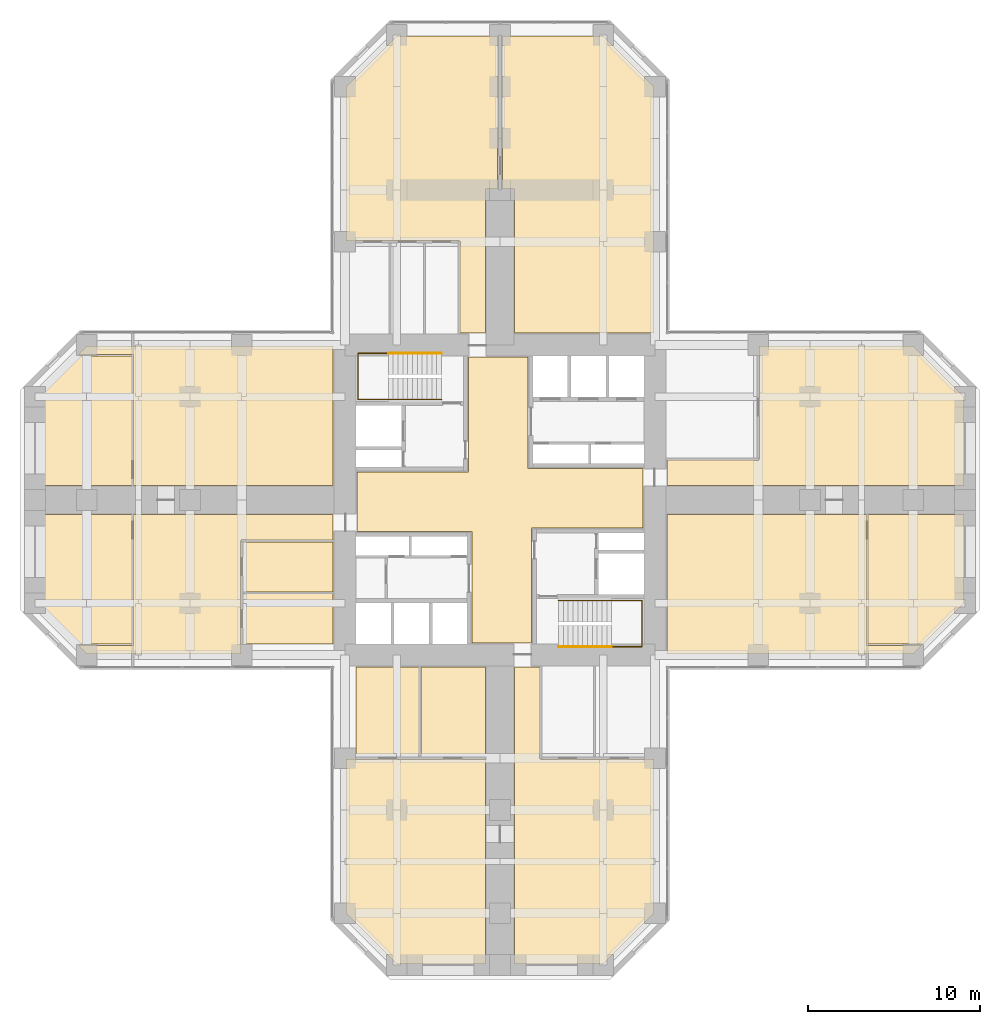
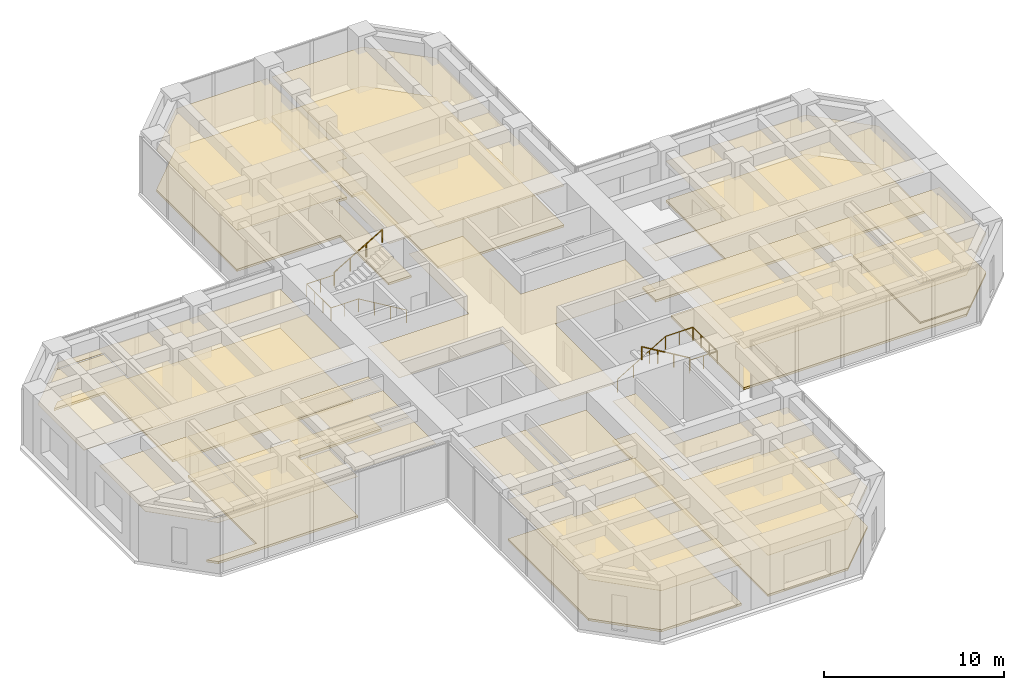
# One storey, part 12 of 12: 25 coverings, 4 railings.
"""IFC4 building model written with IfcOpenShell, lengths in metres."""

from ifc_helpers import new_model, si_unit, direction, frame, origin, origin_2d, place, context, subcontext, project, spatial, polyline, circle, outline, extrude, material, layer, layer_set, constituent, constituent_set, type_object, element, save


model = new_model("IFC4")

# Units and contexts
model_context = context("Model", 3, precision=1e-05, world=origin(), true_north=direction((0.0, 1.0)))
body_context = subcontext(model_context, "Body", "Model", "MODEL_VIEW")
ifc_project = project(units=[si_unit("LENGTHUNIT", "METRE"), si_unit("AREAUNIT", "SQUARE_METRE"), si_unit("VOLUMEUNIT", "CUBIC_METRE"), si_unit("PLANEANGLEUNIT", "RADIAN"), si_unit("MASSUNIT", "GRAM", prefix="KILO")], contexts=[model_context])

# Site, building, storey
site_placement = place(None, origin())
site = spatial("IfcSite", under=ifc_project, at=site_placement, CompositionType="ELEMENT")
building_placement = place(site_placement, origin())
building = spatial("IfcBuilding", under=site, at=building_placement, Name="Torre Cruceta", CompositionType="ELEMENT")
storey_placement = place(building_placement, frame((0.0, 0.0, 39.5)))
storey = spatial("IfcBuildingStorey", under=building, at=storey_placement, Name="L09", CompositionType="ELEMENT", Elevation=39.5)

# Railings
ifc_material_1 = material(Name="Stainless steel 1.4401", Category="steel")
railing_type = type_object("IfcRailingType", Name="HANDRAIL 900", PredefinedType="HANDRAIL", material=ifc_material_1)
railing_1_placement = place(storey_placement, frame((-3.39990234375, 5.8349609375, 0.166748046875)))
element("IfcRailing", 1, at=railing_1_placement, inside=storey, type_object=railing_type, Name="Handrail HR1 ST1 L09", PredefinedType="HANDRAIL", context=body_context, shape_type="SweptSolid", body=[
    extrude(circle(Radius=0.02392578125, at=origin_2d()), frame((0.0, 0.0, 0.8759765625), z_axis=(-0.859308565015, 0.0, 0.511457515432), x_axis=(0.0, -1.0, 0.0)), (0.0, 0.0, 1.0), 3.58447265625),
    extrude(circle(Radius=0.02392578125, at=origin_2d()), frame((-3.080078125, 0.0, 2.708984375), z_axis=(-1.0, 0.0, 0.0), x_axis=(0.0, -1.0, 0.0)), (0.0, 0.0, 1.0), 1.760009765625),
    extrude(circle(Radius=0.02392578125, at=origin_2d()), frame((-4.840087890625, 0.0, 2.708984375), z_axis=(0.0, 1.0, 0.0), x_axis=(-1.0, 0.0, 0.0)), (0.0, 0.0, 1.0), 2.679931640625),
    extrude(circle(Radius=0.02392578125, at=origin_2d()), frame((-4.840087890625, 2.679931640625, 2.708984375), z_axis=(1.0, 0.0, 0.0), x_axis=(0.0, 1.0, 0.0)), (0.0, 0.0, 1.0), 1.760009765625),
    extrude(circle(Radius=0.02099609375, at=origin_2d()), origin(), (0.0, 0.0, 1.0), 0.851806640625),
    extrude(circle(Radius=0.02099609375, at=origin_2d()), frame((-1.026611328125, 0.0, 0.611083984375)), (0.0, 0.0, 1.0), 0.851806640625),
    extrude(circle(Radius=0.02099609375, at=origin_2d()), frame((-2.053466796875, 0.0, 1.22216796875)), (0.0, 0.0, 1.0), 0.851806640625),
    extrude(circle(Radius=0.02099609375, at=origin_2d()), frame((-3.080078125, 0.0, 1.833251953125)), (0.0, 0.0, 1.0), 0.851806640625),
    extrude(circle(Radius=0.02099609375, at=origin_2d()), frame((-3.9599609375, 0.0, 1.833251953125)), (0.0, 0.0, 1.0), 0.851806640625),
    extrude(circle(Radius=0.02099609375, at=origin_2d()), frame((-4.840087890625, 0.0, 1.833251953125)), (0.0, 0.0, 1.0), 0.851806640625),
    extrude(circle(Radius=0.02099609375, at=origin_2d()), frame((-4.840087890625, 0.893310546875, 1.833251953125)), (0.0, 0.0, 1.0), 0.851806640625),
    extrude(circle(Radius=0.02099609375, at=origin_2d()), frame((-4.840087890625, 1.78662109375, 1.833251953125)), (0.0, 0.0, 1.0), 0.851806640625),
    extrude(circle(Radius=0.02099609375, at=origin_2d()), frame((-4.840087890625, 2.679931640625, 1.833251953125)), (0.0, 0.0, 1.0), 0.851806640625),
    extrude(circle(Radius=0.02099609375, at=origin_2d()), frame((-3.9599609375, 2.679931640625, 1.833251953125)), (0.0, 0.0, 1.0), 0.851806640625),
    extrude(circle(Radius=0.02099609375, at=origin_2d()), frame((-3.080078125, 2.679931640625, 1.833251953125)), (0.0, 0.0, 1.0), 0.851806640625),
])
railing_2_placement = place(storey_placement, frame((-6.47998046875, 8.514892578125, 2.166748046875)))
element("IfcRailing", 2, at=railing_2_placement, inside=storey, type_object=railing_type, Name="Handrail HR1 ST1 L09", PredefinedType="HANDRAIL", context=body_context, shape_type="SweptSolid", body=[
    extrude(circle(Radius=0.02392578125, at=origin_2d()), frame((0.0, 0.0, 0.8759765625), z_axis=(0.859308565015, 0.0, 0.511457515432), x_axis=(0.0, 1.0, 0.0)), (0.0, 0.0, 1.0), 3.58447265625),
    extrude(circle(Radius=0.02099609375, at=origin_2d()), origin(), (0.0, 0.0, 1.0), 0.851806640625),
    extrude(circle(Radius=0.02099609375, at=origin_2d()), frame((1.026611328125, 0.0, 0.611083984375)), (0.0, 0.0, 1.0), 0.851806640625),
    extrude(circle(Radius=0.02099609375, at=origin_2d()), frame((2.053466796875, 0.0, 1.22216796875)), (0.0, 0.0, 1.0), 0.851806640625),
    extrude(circle(Radius=0.02099609375, at=origin_2d()), frame((3.080078125, 0.0, 1.833251953125)), (0.0, 0.0, 1.0), 0.851806640625),
])
railing_3_placement = place(storey_placement, frame((3.39990234375, -5.8349609375, 0.166748046875)))
element("IfcRailing", 3, at=railing_3_placement, inside=storey, type_object=railing_type, Name="Handrail HR1 ST2 L09", PredefinedType="HANDRAIL", context=body_context, shape_type="SweptSolid", body=[
    extrude(circle(Radius=0.02392578125, at=origin_2d()), frame((0.0, 0.0, 0.8759765625), z_axis=(0.859308565015, 0.0, 0.511457515432), x_axis=(0.0, 1.0, 0.0)), (0.0, 0.0, 1.0), 3.58447265625),
    extrude(circle(Radius=0.02392578125, at=origin_2d()), frame((3.080078125, 0.0, 2.708984375), z_axis=(1.0, 0.0, 0.0), x_axis=(0.0, 1.0, 0.0)), (0.0, 0.0, 1.0), 1.760009765625),
    extrude(circle(Radius=0.02392578125, at=origin_2d()), frame((4.840087890625, 0.0, 2.708984375), z_axis=(0.0, -1.0, 0.0), x_axis=(1.0, 0.0, 0.0)), (0.0, 0.0, 1.0), 2.679931640625),
    extrude(circle(Radius=0.02392578125, at=origin_2d()), frame((4.840087890625, -2.679931640625, 2.708984375), z_axis=(-1.0, 0.0, 0.0), x_axis=(0.0, -1.0, 0.0)), (0.0, 0.0, 1.0), 1.760009765625),
    extrude(circle(Radius=0.02099609375, at=origin_2d()), origin(), (0.0, 0.0, 1.0), 0.851806640625),
    extrude(circle(Radius=0.02099609375, at=origin_2d()), frame((1.026611328125, 0.0, 0.611083984375)), (0.0, 0.0, 1.0), 0.851806640625),
    extrude(circle(Radius=0.02099609375, at=origin_2d()), frame((2.053466796875, 0.0, 1.22216796875)), (0.0, 0.0, 1.0), 0.851806640625),
    extrude(circle(Radius=0.02099609375, at=origin_2d()), frame((3.080078125, 0.0, 1.833251953125)), (0.0, 0.0, 1.0), 0.851806640625),
    extrude(circle(Radius=0.02099609375, at=origin_2d()), frame((3.9599609375, 0.0, 1.833251953125)), (0.0, 0.0, 1.0), 0.851806640625),
    extrude(circle(Radius=0.02099609375, at=origin_2d()), frame((4.840087890625, 0.0, 1.833251953125)), (0.0, 0.0, 1.0), 0.851806640625),
    extrude(circle(Radius=0.02099609375, at=origin_2d()), frame((4.840087890625, -0.893310546875, 1.833251953125)), (0.0, 0.0, 1.0), 0.851806640625),
    extrude(circle(Radius=0.02099609375, at=origin_2d()), frame((4.840087890625, -1.78662109375, 1.833251953125)), (0.0, 0.0, 1.0), 0.851806640625),
    extrude(circle(Radius=0.02099609375, at=origin_2d()), frame((4.840087890625, -2.679931640625, 1.833251953125)), (0.0, 0.0, 1.0), 0.851806640625),
    extrude(circle(Radius=0.02099609375, at=origin_2d()), frame((3.9599609375, -2.679931640625, 1.833251953125)), (0.0, 0.0, 1.0), 0.851806640625),
    extrude(circle(Radius=0.02099609375, at=origin_2d()), frame((3.080078125, -2.679931640625, 1.833251953125)), (0.0, 0.0, 1.0), 0.851806640625),
])
railing_4_placement = place(storey_placement, frame((6.47998046875, -8.514892578125, 2.166748046875)))
element("IfcRailing", 4, at=railing_4_placement, inside=storey, type_object=railing_type, Name="Handrail HR1 ST2 L09", PredefinedType="HANDRAIL", context=body_context, shape_type="SweptSolid", body=[
    extrude(circle(Radius=0.02392578125, at=origin_2d()), frame((0.0, 0.0, 0.8759765625), z_axis=(-0.859308565015, 0.0, 0.511457515432), x_axis=(0.0, -1.0, 0.0)), (0.0, 0.0, 1.0), 3.58447265625),
    extrude(circle(Radius=0.02099609375, at=origin_2d()), origin(), (0.0, 0.0, 1.0), 0.851806640625),
    extrude(circle(Radius=0.02099609375, at=origin_2d()), frame((-1.026611328125, 0.0, 0.611083984375)), (0.0, 0.0, 1.0), 0.851806640625),
    extrude(circle(Radius=0.02099609375, at=origin_2d()), frame((-2.053466796875, 0.0, 1.22216796875)), (0.0, 0.0, 1.0), 0.851806640625),
    extrude(circle(Radius=0.02099609375, at=origin_2d()), frame((-3.080078125, 0.0, 1.833251953125)), (0.0, 0.0, 1.0), 0.851806640625),
])

# Coverings
ifc_material_2 = material(Name="Steel DX51D", Category="steel")
ifc_constituent_1 = constituent(ifc_material_2, Name="Panel casing")
ifc_material_3 = material(Name="Calcium sulphate", Category="gypsum")
ifc_constituent_2 = constituent(ifc_material_3, Name="Panel core")
ifc_constituent_set = constituent_set(constituents=[ifc_constituent_1, ifc_constituent_2], Name="Raised access floor panel")
covering_type_1 = type_object("IfcCoveringType", Name="RAISED ACCESS FLOOR 150", PredefinedType="FLOORING", material=ifc_constituent_set)
covering_1_placement = place(storey_placement, origin())
element("IfcCovering", 5, at=covering_1_placement, inside=storey, type_object=covering_type_1, Name="Raised floor L09-026", PredefinedType="FLOORING", context=body_context, shape_type="SweptSolid", body=[
    extrude(outline(polyline([(-5.979248046875, 26.949951171875), (-0.14990234375, 26.949951171875), (-0.14990234375, 18.050048828125), (-0.85009765625, 18.050048828125), (-0.85009765625, 9.699951171875), (-2.324951171875, 9.699951171875), (-2.324951171875, 15.050048828125), (-8.949951171875, 15.050048828125), (-8.949951171875, 23.979248046875), (-5.979248046875, 26.949951171875)])), origin(), (0.0, 0.0, 1.0), 0.14990234375),
])
covering_2_placement = place(storey_placement, origin())
element("IfcCovering", 6, at=covering_2_placement, inside=storey, type_object=covering_type_1, Name="Raised floor L09-027", PredefinedType="FLOORING", context=body_context, shape_type="SweptSolid", body=[
    extrude(outline(polyline([(5.979248046875, 26.949951171875), (8.949951171875, 23.979248046875), (8.949951171875, 9.699951171875), (0.85009765625, 9.699951171875), (0.85009765625, 18.050048828125), (0.14990234375, 18.050048828125), (0.14990234375, 26.949951171875), (5.979248046875, 26.949951171875)])), origin(), (0.0, 0.0, 1.0), 0.14990234375),
])
covering_3_placement = place(storey_placement, origin())
element("IfcCovering", 7, at=covering_3_placement, inside=storey, type_object=covering_type_1, Name="Raised floor L09-029", PredefinedType="FLOORING", context=body_context, shape_type="SweptSolid", body=[
    extrude(outline(polyline([(24.579345703125, -8.35009765625), (21.3701171875, -8.35009765625), (21.3701171875, -0.85009765625), (26.949951171875, -0.85009765625), (26.949951171875, -5.979248046875), (24.579345703125, -8.35009765625)])), origin(), (0.0, 0.0, 1.0), 0.14990234375),
])
covering_4_placement = place(storey_placement, origin())
element("IfcCovering", 8, at=covering_4_placement, inside=storey, type_object=covering_type_1, Name="Raised floor L09-030", PredefinedType="FLOORING", context=body_context, shape_type="SweptSolid", body=[
    extrude(outline(polyline([(26.949951171875, 0.85009765625), (9.699951171875, 0.85009765625), (9.699951171875, 2.324951171875), (15.050048828125, 2.324951171875), (15.050048828125, 8.949951171875), (23.979248046875, 8.949951171875), (26.949951171875, 5.979248046875), (26.949951171875, 0.85009765625)])), origin(), (0.0, 0.0, 1.0), 0.14990234375),
])
covering_5_placement = place(storey_placement, origin())
element("IfcCovering", 9, at=covering_5_placement, inside=storey, type_object=covering_type_1, Name="Raised floor L09-031", PredefinedType="FLOORING", context=body_context, shape_type="SweptSolid", body=[
    extrude(outline(polyline([(21.27001953125, -8.449951171875), (24.479248046875, -8.449951171875), (23.979248046875, -8.949951171875), (9.699951171875, -8.949951171875), (9.699951171875, -0.85009765625), (21.27001953125, -0.85009765625), (21.27001953125, -8.449951171875)])), origin(), (0.0, 0.0, 1.0), 0.14990234375),
])
covering_6_placement = place(storey_placement, origin())
element("IfcCovering", 10, at=covering_6_placement, inside=storey, type_object=covering_type_1, Name="Raised floor L09-036", PredefinedType="FLOORING", context=body_context, shape_type="SweptSolid", body=[
    extrude(outline(polyline([(0.85009765625, -26.949951171875), (0.85009765625, -9.699951171875), (2.324951171875, -9.699951171875), (2.324951171875, -15.050048828125), (8.949951171875, -15.050048828125), (8.949951171875, -23.979248046875), (5.979248046875, -26.949951171875), (0.85009765625, -26.949951171875)])), origin(), (0.0, 0.0, 1.0), 0.14990234375),
])
covering_7_placement = place(storey_placement, origin())
element("IfcCovering", 11, at=covering_7_placement, inside=storey, type_object=covering_type_1, Name="Raised floor L09-037", PredefinedType="FLOORING", context=body_context, shape_type="SweptSolid", body=[
    extrude(outline(polyline([(-5.979248046875, -26.949951171875), (-8.949951171875, -23.979248046875), (-8.949951171875, -15.050048828125), (-0.85009765625, -15.050048828125), (-0.85009765625, -26.949951171875), (-5.979248046875, -26.949951171875)])), origin(), (0.0, 0.0, 1.0), 0.14990234375),
])
covering_8_placement = place(storey_placement, origin())
element("IfcCovering", 12, at=covering_8_placement, inside=storey, type_object=covering_type_1, Name="Raised floor L09-042", PredefinedType="FLOORING", context=body_context, shape_type="SweptSolid", body=[
    extrude(outline(polyline([(-21.27001953125, -0.85009765625), (-9.699951171875, -0.85009765625), (-9.699951171875, -2.324951171875), (-15.050048828125, -2.324951171875), (-15.050048828125, -8.949951171875), (-23.979248046875, -8.949951171875), (-24.479248046875, -8.449951171875), (-21.27001953125, -8.449951171875), (-21.27001953125, -0.85009765625)])), origin(), (0.0, 0.0, 1.0), 0.14990234375),
])
covering_9_placement = place(storey_placement, origin())
element("IfcCovering", 13, at=covering_9_placement, inside=storey, type_object=covering_type_1, Name="Raised floor L09-043", PredefinedType="FLOORING", context=body_context, shape_type="SweptSolid", body=[
    extrude(outline(polyline([(-21.27001953125, 8.449951171875), (-24.479248046875, 8.449951171875), (-23.979248046875, 8.949951171875), (-9.699951171875, 8.949951171875), (-9.699951171875, 0.85009765625), (-21.27001953125, 0.85009765625), (-21.27001953125, 8.449951171875)])), origin(), (0.0, 0.0, 1.0), 0.14990234375),
])
ifc_material_4 = material(Name="Mineral fibre ceiling tile", Category="gypsum")
ifc_layer = layer(ifc_material_4, 0.02001953125)
ifc_layer_set = layer_set([ifc_layer], Name="Mineral fibre ceiling tile")
covering_type_2 = type_object("IfcCoveringType", Name="SUSPENDED CEILING 20", PredefinedType="CEILING", material=ifc_layer_set)
covering_10_placement = place(storey_placement, frame((0.0, 0.0, 2.780029296875)))
element("IfcCovering", 14, at=covering_10_placement, inside=storey, type_object=covering_type_2, Name="Ceiling L09-001", PredefinedType="CEILING", context=body_context, shape_type="SweptSolid", body=[
    extrude(outline(polyline([(-1.625, -8.300048828125), (-1.625, -1.824951171875), (-8.300048828125, -1.824951171875), (-8.300048828125, 1.625), (-1.824951171875, 1.625), (-1.824951171875, 8.300048828125), (1.625, 8.300048828125), (1.625, 1.824951171875), (8.300048828125, 1.824951171875), (8.300048828125, -1.625), (1.824951171875, -1.625), (1.824951171875, -8.300048828125), (-1.625, -8.300048828125)])), origin(), (0.0, 0.0, 1.0), 0.02001953125),
])
covering_11_placement = place(storey_placement, frame((0.0, 0.0, 2.780029296875)))
element("IfcCovering", 15, at=covering_11_placement, inside=storey, type_object=covering_type_2, Name="Ceiling L09-026", PredefinedType="CEILING", context=body_context, shape_type="SweptSolid", body=[
    extrude(outline(polyline([(-5.979248046875, 26.949951171875), (-0.14990234375, 26.949951171875), (-0.14990234375, 18.050048828125), (-0.85009765625, 18.050048828125), (-0.85009765625, 9.699951171875), (-2.324951171875, 9.699951171875), (-2.324951171875, 15.050048828125), (-8.949951171875, 15.050048828125), (-8.949951171875, 23.979248046875), (-5.979248046875, 26.949951171875)])), origin(), (0.0, 0.0, 1.0), 0.02001953125),
])
covering_12_placement = place(storey_placement, frame((0.0, 0.0, 2.780029296875)))
element("IfcCovering", 16, at=covering_12_placement, inside=storey, type_object=covering_type_2, Name="Ceiling L09-027", PredefinedType="CEILING", context=body_context, shape_type="SweptSolid", body=[
    extrude(outline(polyline([(5.979248046875, 26.949951171875), (8.949951171875, 23.979248046875), (8.949951171875, 9.699951171875), (0.85009765625, 9.699951171875), (0.85009765625, 18.050048828125), (0.14990234375, 18.050048828125), (0.14990234375, 26.949951171875), (5.979248046875, 26.949951171875)])), origin(), (0.0, 0.0, 1.0), 0.02001953125),
])
covering_13_placement = place(storey_placement, frame((0.0, 0.0, 2.780029296875)))
element("IfcCovering", 17, at=covering_13_placement, inside=storey, type_object=covering_type_2, Name="Ceiling L09-029", PredefinedType="CEILING", context=body_context, shape_type="SweptSolid", body=[
    extrude(outline(polyline([(24.579345703125, -8.35009765625), (21.3701171875, -8.35009765625), (21.3701171875, -0.85009765625), (26.949951171875, -0.85009765625), (26.949951171875, -5.979248046875), (24.579345703125, -8.35009765625)])), origin(), (0.0, 0.0, 1.0), 0.02001953125),
])
covering_14_placement = place(storey_placement, frame((0.0, 0.0, 2.780029296875)))
element("IfcCovering", 18, at=covering_14_placement, inside=storey, type_object=covering_type_2, Name="Ceiling L09-030", PredefinedType="CEILING", context=body_context, shape_type="SweptSolid", body=[
    extrude(outline(polyline([(26.949951171875, 0.85009765625), (9.699951171875, 0.85009765625), (9.699951171875, 2.324951171875), (15.050048828125, 2.324951171875), (15.050048828125, 8.949951171875), (23.979248046875, 8.949951171875), (26.949951171875, 5.979248046875), (26.949951171875, 0.85009765625)])), origin(), (0.0, 0.0, 1.0), 0.02001953125),
])
covering_15_placement = place(storey_placement, frame((0.0, 0.0, 2.780029296875)))
element("IfcCovering", 19, at=covering_15_placement, inside=storey, type_object=covering_type_2, Name="Ceiling L09-031", PredefinedType="CEILING", context=body_context, shape_type="SweptSolid", body=[
    extrude(outline(polyline([(21.27001953125, -8.449951171875), (24.479248046875, -8.449951171875), (23.979248046875, -8.949951171875), (9.699951171875, -8.949951171875), (9.699951171875, -0.85009765625), (21.27001953125, -0.85009765625), (21.27001953125, -8.449951171875)])), origin(), (0.0, 0.0, 1.0), 0.02001953125),
])
covering_16_placement = place(storey_placement, frame((0.0, 0.0, 2.780029296875)))
element("IfcCovering", 20, at=covering_16_placement, inside=storey, type_object=covering_type_2, Name="Ceiling L09-034", PredefinedType="CEILING", context=body_context, shape_type="SweptSolid", body=[
    extrude(outline(polyline([(-4.60009765625, -9.699951171875), (-0.85009765625, -9.699951171875), (-0.85009765625, -14.949951171875), (-4.60009765625, -14.949951171875), (-4.60009765625, -9.699951171875)])), origin(), (0.0, 0.0, 1.0), 0.02001953125),
])
covering_17_placement = place(storey_placement, frame((0.0, 0.0, 2.780029296875)))
element("IfcCovering", 21, at=covering_17_placement, inside=storey, type_object=covering_type_2, Name="Ceiling L09-035", PredefinedType="CEILING", context=body_context, shape_type="SweptSolid", body=[
    extrude(outline(polyline([(-8.35009765625, -9.699951171875), (-4.699951171875, -9.699951171875), (-4.699951171875, -14.949951171875), (-8.35009765625, -14.949951171875), (-8.35009765625, -9.699951171875)])), origin(), (0.0, 0.0, 1.0), 0.02001953125),
])
covering_18_placement = place(storey_placement, frame((0.0, 0.0, 2.780029296875)))
element("IfcCovering", 22, at=covering_18_placement, inside=storey, type_object=covering_type_2, Name="Ceiling L09-036", PredefinedType="CEILING", context=body_context, shape_type="SweptSolid", body=[
    extrude(outline(polyline([(0.85009765625, -26.949951171875), (0.85009765625, -9.699951171875), (2.324951171875, -9.699951171875), (2.324951171875, -15.050048828125), (8.949951171875, -15.050048828125), (8.949951171875, -23.979248046875), (5.979248046875, -26.949951171875), (0.85009765625, -26.949951171875)])), origin(), (0.0, 0.0, 1.0), 0.02001953125),
])
covering_19_placement = place(storey_placement, frame((0.0, 0.0, 2.780029296875)))
element("IfcCovering", 23, at=covering_19_placement, inside=storey, type_object=covering_type_2, Name="Ceiling L09-037", PredefinedType="CEILING", context=body_context, shape_type="SweptSolid", body=[
    extrude(outline(polyline([(-5.979248046875, -26.949951171875), (-8.949951171875, -23.979248046875), (-8.949951171875, -15.050048828125), (-0.85009765625, -15.050048828125), (-0.85009765625, -26.949951171875), (-5.979248046875, -26.949951171875)])), origin(), (0.0, 0.0, 1.0), 0.02001953125),
])
covering_20_placement = place(storey_placement, frame((0.0, 0.0, 2.780029296875)))
element("IfcCovering", 24, at=covering_20_placement, inside=storey, type_object=covering_type_2, Name="Ceiling L09-038", PredefinedType="CEILING", context=body_context, shape_type="SweptSolid", body=[
    extrude(outline(polyline([(-9.699951171875, -2.425048828125), (-9.699951171875, -5.33740234375), (-14.949951171875, -5.33740234375), (-14.949951171875, -2.425048828125), (-9.699951171875, -2.425048828125)])), origin(), (0.0, 0.0, 1.0), 0.02001953125),
])
covering_21_placement = place(storey_placement, frame((0.0, 0.0, 2.780029296875)))
element("IfcCovering", 25, at=covering_21_placement, inside=storey, type_object=covering_type_2, Name="Ceiling L09-039", PredefinedType="CEILING", context=body_context, shape_type="SweptSolid", body=[
    extrude(outline(polyline([(-9.699951171875, -5.4375), (-9.699951171875, -8.35009765625), (-14.949951171875, -8.35009765625), (-14.949951171875, -5.4375), (-9.699951171875, -5.4375)])), origin(), (0.0, 0.0, 1.0), 0.02001953125),
])
covering_22_placement = place(storey_placement, frame((0.0, 0.0, 2.780029296875)))
element("IfcCovering", 26, at=covering_22_placement, inside=storey, type_object=covering_type_2, Name="Ceiling L09-040", PredefinedType="CEILING", context=body_context, shape_type="SweptSolid", body=[
    extrude(outline(polyline([(-26.949951171875, -0.85009765625), (-21.3701171875, -0.85009765625), (-21.3701171875, -8.35009765625), (-24.579345703125, -8.35009765625), (-26.949951171875, -5.979248046875), (-26.949951171875, -0.85009765625)])), origin(), (0.0, 0.0, 1.0), 0.02001953125),
])
covering_23_placement = place(storey_placement, frame((0.0, 0.0, 2.780029296875)))
element("IfcCovering", 27, at=covering_23_placement, inside=storey, type_object=covering_type_2, Name="Ceiling L09-041", PredefinedType="CEILING", context=body_context, shape_type="SweptSolid", body=[
    extrude(outline(polyline([(-24.579345703125, 8.35009765625), (-21.3701171875, 8.35009765625), (-21.3701171875, 0.85009765625), (-26.949951171875, 0.85009765625), (-26.949951171875, 5.979248046875), (-24.579345703125, 8.35009765625)])), origin(), (0.0, 0.0, 1.0), 0.02001953125),
])
covering_24_placement = place(storey_placement, frame((0.0, 0.0, 2.780029296875)))
element("IfcCovering", 28, at=covering_24_placement, inside=storey, type_object=covering_type_2, Name="Ceiling L09-042", PredefinedType="CEILING", context=body_context, shape_type="SweptSolid", body=[
    extrude(outline(polyline([(-21.27001953125, -0.85009765625), (-9.699951171875, -0.85009765625), (-9.699951171875, -2.324951171875), (-15.050048828125, -2.324951171875), (-15.050048828125, -8.949951171875), (-23.979248046875, -8.949951171875), (-24.479248046875, -8.449951171875), (-21.27001953125, -8.449951171875), (-21.27001953125, -0.85009765625)])), origin(), (0.0, 0.0, 1.0), 0.02001953125),
])
covering_25_placement = place(storey_placement, frame((0.0, 0.0, 2.780029296875)))
element("IfcCovering", 29, at=covering_25_placement, inside=storey, type_object=covering_type_2, Name="Ceiling L09-043", PredefinedType="CEILING", context=body_context, shape_type="SweptSolid", body=[
    extrude(outline(polyline([(-21.27001953125, 8.449951171875), (-24.479248046875, 8.449951171875), (-23.979248046875, 8.949951171875), (-9.699951171875, 8.949951171875), (-9.699951171875, 0.85009765625), (-21.27001953125, 0.85009765625), (-21.27001953125, 8.449951171875)])), origin(), (0.0, 0.0, 1.0), 0.02001953125),
])

save(model, "model.ifc")
